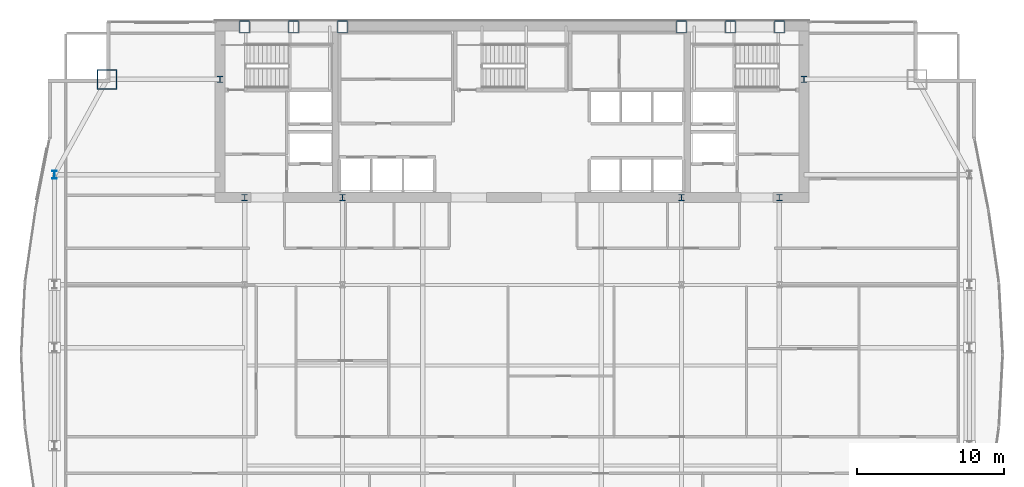
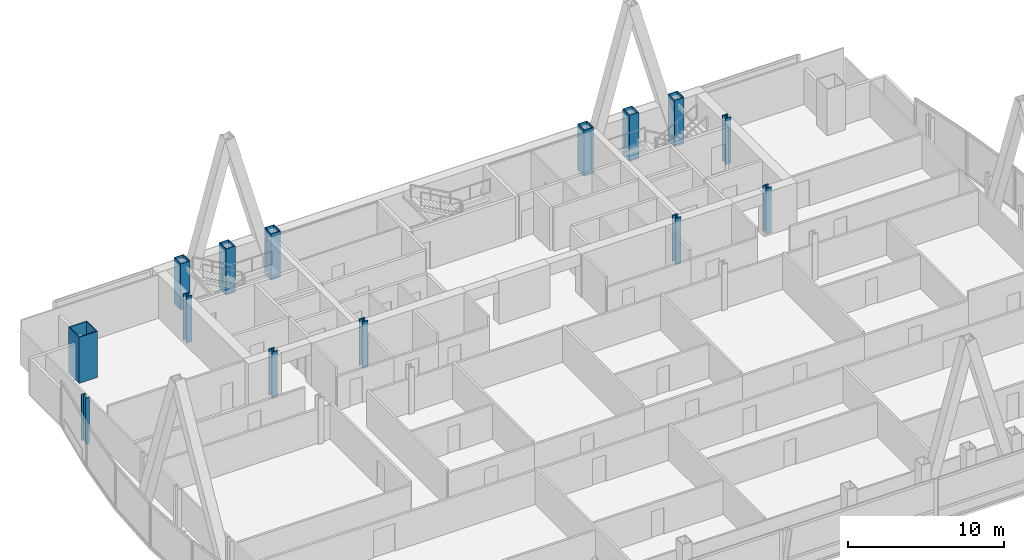
# One storey, part 3 of 31: 14 columns.
"""IFC4 building model written with IfcOpenShell, lengths in metres."""

from ifc_helpers import new_model, si_unit, direction, frame, origin, origin_2d, place, context, subcontext, project, spatial, hollow_rectangle, i_section, extrude, material, material_profile, profile_set, type_object, element, save


model = new_model("IFC4")

# Units and contexts
model_context = context("Model", 3, precision=1e-05, world=origin(), true_north=direction((0.0, 1.0)))
body_context = subcontext(model_context, "Body", "Model", "MODEL_VIEW")
ifc_project = project(units=[si_unit("LENGTHUNIT", "METRE"), si_unit("AREAUNIT", "SQUARE_METRE"), si_unit("VOLUMEUNIT", "CUBIC_METRE"), si_unit("PLANEANGLEUNIT", "RADIAN"), si_unit("MASSUNIT", "GRAM", prefix="KILO")], contexts=[model_context])

# Site, building, storey
site_placement = place(None, origin())
site = spatial("IfcSite", under=ifc_project, at=site_placement, CompositionType="ELEMENT")
building_placement = place(site_placement, origin())
building = spatial("IfcBuilding", under=site, at=building_placement, Name="Khoronbel Lancet Exchange", CompositionType="ELEMENT")
storey_placement = place(building_placement, frame((0.0, 0.0, 168.60009765625)))
storey = spatial("IfcBuildingStorey", under=building, at=storey_placement, Name="L42", CompositionType="ELEMENT", Elevation=168.60009765625)

# Columns
ifc_material_1 = material(Name="Steel S460", Category="steel")
ifc_material_profile_1 = material_profile(ifc_material_1, hollow_rectangle(XDim=0.699951171875, YDim=0.85009765625, WallThickness=0.050048828125, at=origin_2d()), Name="BOX 850x700x50")
ifc_profile_set_1 = profile_set([ifc_material_profile_1], Name="Steel S460")
column_type_1 = type_object("IfcColumnType", Name="COL-EC2", PredefinedType="COLUMN", material=ifc_profile_set_1)
for number, where, z_axis, x_axis, name in (
    (1, (18.22509765625, 53.280029296875, 0.0), (0.0, 0.0, 1.0), (1.0, 0.0, 0.0), "Structural column NC-W1 L42"),
    (2, (21.5625, 53.280029296875, 0.0), (0.0, 0.0, 1.0), (1.0, 0.0, 0.0), "Structural column NC-WM L42"),
    (3, (24.89990234375, 53.280029296875, 0.0), (0.0, 0.0, 1.0), (1.0, 0.0, 0.0), "Structural column NC-W2 L42"),
    (4, (48.0, 53.280029296875, 0.0), (0.0, 0.0, 1.0), (1.0, 0.0, 0.0), "Structural column NC-E1 L42"),
    (5, (51.33740234375, 53.280029296875, 0.0), (0.0, 0.0, 1.0), (1.0, 0.0, 0.0), "Structural column NC-EM L42"),
    (6, (54.675048828125, 53.280029296875, 0.0), (0.0, 0.0, 1.0), (1.0, 0.0, 0.0), "Structural column NC-E2 L42"),
):
    element("IfcColumn", number, at=place(storey_placement, frame(where, z_axis=z_axis, x_axis=x_axis)), inside=storey, type_object=column_type_1, Name=name, PredefinedType="COLUMN", context=body_context, shape_type="SweptSolid", body=[
        extrude(hollow_rectangle(XDim=0.699951171875, YDim=0.85009765625, WallThickness=0.050048828125, at=origin_2d()), origin(), (0.0, 0.0, 1.0), 3.599853515625),
    ])
ifc_material_profile_2 = material_profile(ifc_material_1, i_section(OverallWidth=0.416015625, OverallDepth=0.446044921875, WebThickness=0.0390625, FlangeThickness=0.062744140625, at=origin_2d()), Name="HD 400x509")
ifc_profile_set_2 = profile_set([ifc_material_profile_2], Name="Steel S460")
column_type_2 = type_object("IfcColumnType", Name="COL-IC2", PredefinedType="COLUMN", material=ifc_profile_set_2)
for number, where, z_axis, x_axis, name in (
    (7, (16.550048828125, 49.699951171875, 0.0), (0.0, 0.0, 1.0), (1.0, 0.0, 0.0), "Core-flank plumb transfer column CFW L42"),
    (8, (56.35009765625, 49.699951171875, 0.0), (0.0, 0.0, 1.0), (1.0, 0.0, 0.0), "Core-flank plumb transfer column CFE L42"),
    (9, (18.22509765625, 41.64990234375, 0.0), (0.0, 0.0, 1.0), (1.0, 0.0, 0.0), "Core-embedded steel column CTC1 L42"),
    (10, (24.89990234375, 41.64990234375, 0.0), (0.0, 0.0, 1.0), (1.0, 0.0, 0.0), "Core-embedded steel column CTC2 L42"),
    (11, (48.0, 41.64990234375, 0.0), (0.0, 0.0, 1.0), (1.0, 0.0, 0.0), "Core-embedded steel column CTC3 L42"),
    (12, (54.675048828125, 41.64990234375, 0.0), (0.0, 0.0, 1.0), (1.0, 0.0, 0.0), "Core-embedded steel column CTC4 L42"),
):
    element("IfcColumn", number, at=place(storey_placement, frame(where, z_axis=z_axis, x_axis=x_axis)), inside=storey, type_object=column_type_2, Name=name, PredefinedType="COLUMN", context=body_context, shape_type="SweptSolid", body=[
        extrude(i_section(OverallWidth=0.416015625, OverallDepth=0.446044921875, WebThickness=0.0390625, FlangeThickness=0.062744140625, at=origin_2d()), origin(), (0.0, 0.0, 1.0), 3.599853515625),
    ])
ifc_material_2 = material(Name="Steel S355", Category="steel")
ifc_material_profile_3 = material_profile(ifc_material_2, i_section(OverallWidth=0.300048828125, OverallDepth=0.550048828125, WebThickness=0.014892578125, FlangeThickness=0.029052734375, at=origin_2d()), Name="HEB 550")
ifc_profile_set_3 = profile_set([ifc_material_profile_3], Name="Steel S355")
column_type_3 = type_object("IfcColumnType", Name="COL-LC1", PredefinedType="COLUMN", material=ifc_profile_set_3)
column_1_placement = place(storey_placement, frame((5.27001953125, 43.199951171875, 0.0), z_axis=(0.0, 0.0, 1.0), x_axis=(1.0, 0.0, 0.0)))
element("IfcColumn", 13, at=column_1_placement, inside=storey, type_object=column_type_3, Name="Structural column WC-4 L42", PredefinedType="COLUMN", context=body_context, shape_type="SweptSolid", body=[
    extrude(i_section(OverallWidth=0.300048828125, OverallDepth=0.550048828125, WebThickness=0.014892578125, FlangeThickness=0.029052734375, at=origin_2d()), origin(), (0.0, 0.0, 1.0), 3.599853515625),
])
ifc_material_profile_4 = material_profile(ifc_material_1, hollow_rectangle(XDim=1.35009765625, YDim=1.35009765625, WallThickness=0.06494140625, at=origin_2d()), Name="BOX 1350x1350x65")
ifc_profile_set_4 = profile_set([ifc_material_profile_4], Name="Steel S460")
column_type_4 = type_object("IfcColumnType", Name="COL-MC4", PredefinedType="COLUMN", material=ifc_profile_set_4)
column_2_placement = place(storey_placement, frame((8.85009765625, 49.699951171875, 0.0), z_axis=(0.0, 0.0, 1.0), x_axis=(1.0, 0.0, 0.0)))
element("IfcColumn", 14, at=column_2_placement, inside=storey, type_object=column_type_4, Name="Structural column MC-NW L42", PredefinedType="COLUMN", context=body_context, shape_type="SweptSolid", body=[
    extrude(hollow_rectangle(XDim=1.35009765625, YDim=1.35009765625, WallThickness=0.06494140625, at=origin_2d()), origin(), (0.0, 0.0, 1.0), 3.599853515625),
])

save(model, "model.ifc")
